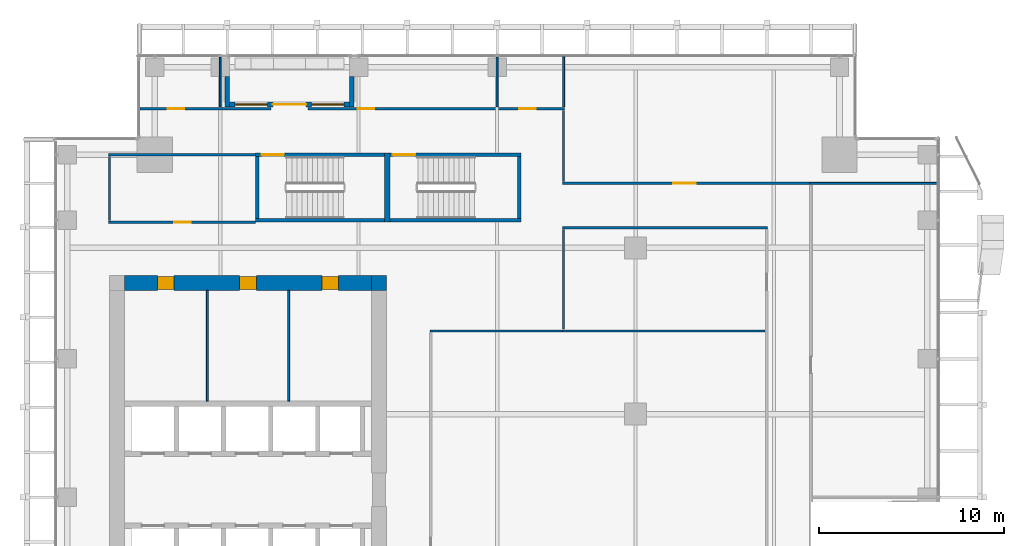
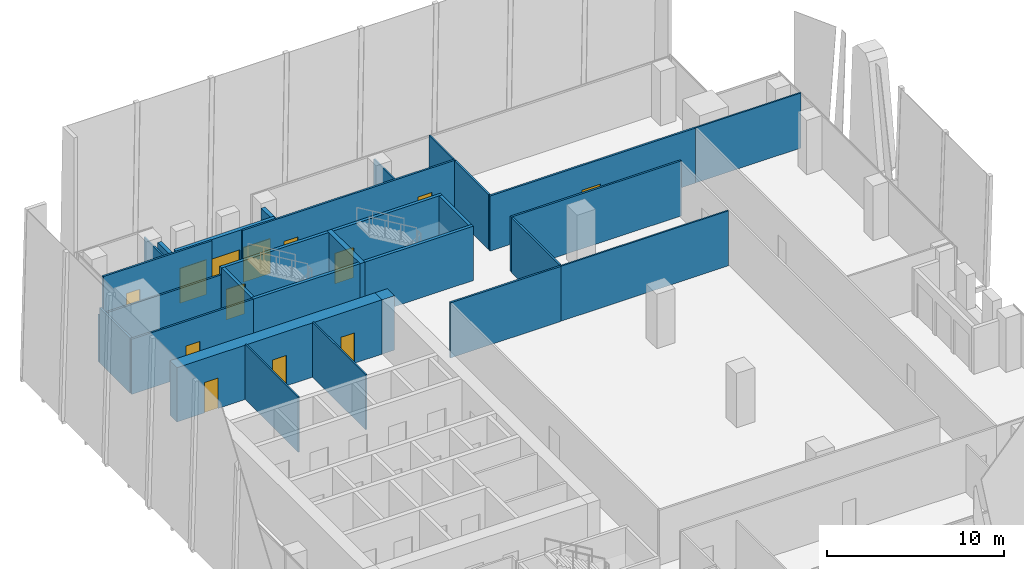
# One storey, part 30 of 35: 29 walls, 11 doors, 2 windows, 13 openings.
"""IFC4 building model written with IfcOpenShell, lengths in metres."""

from ifc_helpers import new_model, si_unit, direction, frame, frame_2d, origin, place, context, subcontext, project, spatial, rectangle, extrude, source, transform, mapped, material, layer, layer_set, type_object, element, fill, save


model = new_model("IFC4")

# Units and contexts
model_context = context("Model", 3, precision=1e-05, world=origin(), true_north=direction((0.0, 1.0)))
body_context = subcontext(model_context, "Body", "Model", "MODEL_VIEW")
ifc_project = project(units=[si_unit("LENGTHUNIT", "METRE"), si_unit("AREAUNIT", "SQUARE_METRE"), si_unit("VOLUMEUNIT", "CUBIC_METRE"), si_unit("PLANEANGLEUNIT", "RADIAN"), si_unit("MASSUNIT", "GRAM", prefix="KILO")], contexts=[model_context])

# Site, building, storey
site_placement = place(None, origin())
site = spatial("IfcSite", under=ifc_project, at=site_placement, CompositionType="ELEMENT")
building_placement = place(site_placement, origin())
building = spatial("IfcBuilding", under=site, at=building_placement, Name="Khomas Fold Tower", CompositionType="ELEMENT")
storey_placement = place(building_placement, frame((0.0, 0.0, 200.699951171875)))
storey = spatial("IfcBuildingStorey", under=building, at=storey_placement, Name="L44", CompositionType="ELEMENT", Elevation=200.699951171875)

# Wall, openings, doors
ifc_material_1 = material(Name="Concrete C60/75", Category="concrete")
ifc_layer_1 = layer(ifc_material_1, 0.800048828125)
ifc_layer_set_1 = layer_set([ifc_layer_1], Name="Concrete C60/75")
wall_type_1 = type_object("IfcWallType", Name="Core wall 800", PredefinedType="SHEAR", material=ifc_layer_set_1)
shared_shape_1 = source(origin(), body_context, "Body", "SweptSolid", [
    extrude(rectangle(XDim=13.39990234375, YDim=0.800048828125, at=frame_2d((6.699951171875, 0.0))), origin(), (0.0, 0.0, 1.0), 3.75),
])
wall_1_placement = place(storey_placement, frame((6.800048828125, 38.60009765625, 0.0), z_axis=(0.0, 0.0, 1.0), x_axis=(1.0, 0.0, 0.0)))
wall_1 = element("IfcWall", 1, at=wall_1_placement, inside=storey, type_object=wall_type_1, Name="Core wall CW-U-N-L35", PredefinedType="SHEAR", context=body_context, shape_type="MappedRepresentation", body=[
    mapped(shared_shape_1, transform((0.0, 0.0, 0.0))),
])
shared_shape_2 = source(origin(), body_context, "Body", "SweptSolid", [
    extrude(rectangle(XDim=0.89990234375, YDim=2.10009765625, at=frame_2d((0.449951171875, 1.050048828125))), frame((0.0, 0.409912109375, 0.0), z_axis=(0.0, -1.0, 0.0), x_axis=(1.0, 0.0, 0.0)), (0.0, 0.0, 1.0), 0.820068359375),
])
opening_1_placement = place(wall_1_placement, frame((1.800048828125, 0.0, 0.0)))
opening_1 = element("IfcOpeningElement", 2, at=opening_1_placement, cuts=wall_1, Name="Opening 0004", PredefinedType="OPENING", context=body_context, shape_type="MappedRepresentation", body=[
    mapped(shared_shape_2, transform((0.0, 0.0, 0.0))),
])
opening_2_placement = place(wall_1_placement, frame((6.25, 0.0, 0.0)))
opening_2 = element("IfcOpeningElement", 3, at=opening_2_placement, cuts=wall_1, Name="Opening 0004", PredefinedType="OPENING", context=body_context, shape_type="MappedRepresentation", body=[
    mapped(shared_shape_2, transform((0.0, 0.0, 0.0))),
])
opening_3_placement = place(wall_1_placement, frame((10.699951171875, 0.0, 0.0)))
opening_3 = element("IfcOpeningElement", 4, at=opening_3_placement, cuts=wall_1, Name="Opening 0008", PredefinedType="OPENING", context=body_context, shape_type="MappedRepresentation", body=[
    mapped(shared_shape_2, transform((0.0, 0.0, 0.0))),
])
ifc_material_2 = material(Name="Timber door leaf", Category="wood")
door_type_1 = type_object("IfcDoorType", Name="WC door 900x2100 right-hand", OperationType="SINGLE_SWING_RIGHT", PredefinedType="DOOR", material=ifc_material_2)
shared_shape_3 = source(origin(), body_context, "Body", "SweptSolid", [
    extrude(rectangle(XDim=0.89990234375, YDim=2.10009765625, at=frame_2d((0.449951171875, 1.050048828125))), frame((0.0, 0.35009765625, 0.0), z_axis=(0.0, -1.0, 0.0), x_axis=(1.0, 0.0, 0.0)), (0.0, 0.0, 1.0), 0.699951171875),
])
door_1_placement = place(opening_1_placement, origin())
door_1 = element("IfcDoor", 5, at=door_1_placement, inside=storey, type_object=door_type_1, Name="WC door", OperationType="SINGLE_SWING_RIGHT", OverallHeight=2.10009765625, OverallWidth=0.89990234375, PredefinedType="DOOR", context=body_context, shape_type="MappedRepresentation", body=[
    mapped(shared_shape_3, transform((0.0, 0.0, 0.0))),
])
fill(opening_1, door_1)
door_2_placement = place(opening_2_placement, origin())
door_2 = element("IfcDoor", 6, at=door_2_placement, inside=storey, type_object=door_type_1, Name="WC door", OperationType="SINGLE_SWING_RIGHT", OverallHeight=2.10009765625, OverallWidth=0.89990234375, PredefinedType="DOOR", context=body_context, shape_type="MappedRepresentation", body=[
    mapped(shared_shape_3, transform((0.0, 0.0, 0.0))),
])
fill(opening_2, door_2)
ifc_material_3 = material(Name="Timber door leaf", Category="wood")
door_type_2 = type_object("IfcDoorType", Name="Door 900x2100 right-hand", OperationType="SINGLE_SWING_RIGHT", PredefinedType="DOOR", material=ifc_material_3)
door_3_placement = place(opening_3_placement, origin())
door_3 = element("IfcDoor", 7, at=door_3_placement, inside=storey, type_object=door_type_2, Name="Door", OperationType="SINGLE_SWING_RIGHT", OverallHeight=2.10009765625, OverallWidth=0.89990234375, PredefinedType="DOOR", context=body_context, shape_type="MappedRepresentation", body=[
    mapped(shared_shape_3, transform((0.0, 0.0, 0.0))),
])
fill(opening_3, door_3)

# Wall
ifc_material_4 = material(Name="Concrete C60/75", Category="concrete")
ifc_layer_2 = layer(ifc_material_4, 0.800048828125)
ifc_layer_set_2 = layer_set([ifc_layer_2], Name="Concrete C60/75")
wall_type_2 = type_object("IfcWallType", Name="Core corner wall 800", PredefinedType="SHEAR", material=ifc_layer_set_2)
shared_shape_4 = source(origin(), body_context, "Body", "SweptSolid", [
    extrude(rectangle(XDim=0.800048828125, YDim=0.800048828125, at=frame_2d((0.39990234375, 0.0))), origin(), (0.0, 0.0, 1.0), 3.75),
])
wall_2_placement = place(storey_placement, frame((20.199951171875, 38.60009765625, 0.0), z_axis=(0.0, 0.0, 1.0), x_axis=(1.0, 0.0, 0.0)))
element("IfcWall", 8, at=wall_2_placement, inside=storey, type_object=wall_type_2, Name="Core wall CW-U-NE-L35", PredefinedType="SHEAR", context=body_context, shape_type="MappedRepresentation", body=[
    mapped(shared_shape_4, transform((0.0, 0.0, 0.0))),
])

# Wall, opening, door
ifc_material_5 = material(Name="Concrete C50/60", Category="concrete")
ifc_layer_3 = layer(ifc_material_5, 0.199951171875)
ifc_layer_set_3 = layer_set([ifc_layer_3], Name="Concrete C50/60")
wall_type_3 = type_object("IfcWallType", Name="Stair wall 200", PredefinedType="SHEAR", material=ifc_layer_set_3)
shared_shape_5 = source(origin(), body_context, "Body", "SweptSolid", [
    extrude(rectangle(XDim=7.0, YDim=0.199951171875, at=frame_2d((3.5, 0.0))), origin(), (0.0, 0.0, 1.0), 3.75),
])
wall_3_placement = place(storey_placement, frame((13.89990234375, 45.550048828125, 0.0), z_axis=(0.0, 0.0, 1.0), x_axis=(1.0, 0.0, 0.0)))
wall_3 = element("IfcWall", 9, at=wall_3_placement, inside=storey, type_object=wall_type_3, Name="Stair wall SW-ST1-N", PredefinedType="SHEAR", context=body_context, shape_type="MappedRepresentation", body=[
    mapped(shared_shape_5, transform((0.0, 0.0, 0.0))),
])
shared_shape_6 = source(origin(), body_context, "Body", "SweptSolid", [
    extrude(rectangle(XDim=1.199951171875, YDim=2.10009765625, at=frame_2d((0.60009765625, 1.050048828125))), frame((0.0, 0.10986328125, 0.0), z_axis=(0.0, -1.0, 0.0), x_axis=(1.0, 0.0, 0.0)), (0.0, 0.0, 1.0), 0.219970703125),
])
opening_4_placement = place(wall_3_placement, frame((0.35009765625, 0.0, 0.0)))
opening_4 = element("IfcOpeningElement", 10, at=opening_4_placement, cuts=wall_3, Name="Opening SD-ST1", PredefinedType="OPENING", context=body_context, shape_type="MappedRepresentation", body=[
    mapped(shared_shape_6, transform((0.0, 0.0, 0.0))),
])
ifc_material_6 = material(Name="Steel door leaf", Category="steel")
door_type_3 = type_object("IfcDoorType", Name="Stair door 1200x2100 left-hand", OperationType="SINGLE_SWING_LEFT", PredefinedType="DOOR", material=ifc_material_6)
shared_shape_7 = source(origin(), body_context, "Body", "SweptSolid", [
    extrude(rectangle(XDim=1.199951171875, YDim=2.10009765625, at=frame_2d((0.60009765625, 1.050048828125))), frame((0.0, 0.02490234375, 0.0), z_axis=(0.0, -1.0, 0.0), x_axis=(1.0, 0.0, 0.0)), (0.0, 0.0, 1.0), 0.050048828125),
])
door_4_placement = place(opening_4_placement, origin())
door_4 = element("IfcDoor", 11, at=door_4_placement, inside=storey, type_object=door_type_3, Name="Stair door", OperationType="SINGLE_SWING_LEFT", OverallHeight=2.10009765625, OverallWidth=1.199951171875, PredefinedType="DOOR", context=body_context, shape_type="MappedRepresentation", body=[
    mapped(shared_shape_7, transform((0.0, 0.0, 0.0))),
])
fill(opening_4, door_4)

# Wall
wall_4_placement = place(storey_placement, frame((13.89990234375, 42.0, 0.0), z_axis=(0.0, 0.0, 1.0), x_axis=(1.0, 0.0, 0.0)))
element("IfcWall", 12, at=wall_4_placement, inside=storey, type_object=wall_type_3, Name="Stair wall SW-ST1-S", PredefinedType="SHEAR", context=body_context, shape_type="MappedRepresentation", body=[
    mapped(shared_shape_5, transform((0.0, 0.0, 0.0))),
])

# Wall, opening, door
shared_shape_8 = source(origin(), body_context, "Body", "SweptSolid", [
    extrude(rectangle(XDim=7.10009765625, YDim=0.199951171875, at=frame_2d((3.550048828125, 0.0))), origin(), (0.0, 0.0, 1.0), 3.75),
])
wall_5_placement = place(storey_placement, frame((21.199951171875, 45.550048828125, 0.0), z_axis=(0.0, 0.0, 1.0), x_axis=(1.0, 0.0, 0.0)))
wall_5 = element("IfcWall", 13, at=wall_5_placement, inside=storey, type_object=wall_type_3, Name="Stair wall SW-ST3-N", PredefinedType="SHEAR", context=body_context, shape_type="MappedRepresentation", body=[
    mapped(shared_shape_8, transform((0.0, 0.0, 0.0))),
])
opening_5_placement = place(wall_5_placement, frame((0.14990234375, 0.0, 0.0)))
opening_5 = element("IfcOpeningElement", 14, at=opening_5_placement, cuts=wall_5, Name="Opening SD-ST3", PredefinedType="OPENING", context=body_context, shape_type="MappedRepresentation", body=[
    mapped(shared_shape_6, transform((0.0, 0.0, 0.0))),
])
door_5_placement = place(opening_5_placement, origin())
door_5 = element("IfcDoor", 15, at=door_5_placement, inside=storey, type_object=door_type_3, Name="Stair door", OperationType="SINGLE_SWING_LEFT", OverallHeight=2.10009765625, OverallWidth=1.199951171875, PredefinedType="DOOR", context=body_context, shape_type="MappedRepresentation", body=[
    mapped(shared_shape_7, transform((0.0, 0.0, 0.0))),
])
fill(opening_5, door_5)

# Walls
wall_6_placement = place(storey_placement, frame((21.199951171875, 42.0, 0.0), z_axis=(0.0, 0.0, 1.0), x_axis=(1.0, 0.0, 0.0)))
element("IfcWall", 16, at=wall_6_placement, inside=storey, type_object=wall_type_3, Name="Stair wall SW-ST3-S", PredefinedType="SHEAR", context=body_context, shape_type="MappedRepresentation", body=[
    mapped(shared_shape_8, transform((0.0, 0.0, 0.0))),
])
ifc_material_7 = material(Name="Concrete C50/60", Category="concrete")
ifc_layer_4 = layer(ifc_material_7, 0.300048828125)
ifc_layer_set_4 = layer_set([ifc_layer_4], Name="Concrete C50/60")
wall_type_4 = type_object("IfcWallType", Name="Stair wall 300", PredefinedType="SHEAR", material=ifc_layer_set_4)
shared_shape_9 = source(origin(), body_context, "Body", "SweptSolid", [
    extrude(rectangle(XDim=3.75, YDim=0.300048828125, at=frame_2d((1.875, 0.0))), origin(), (0.0, 0.0, 1.0), 3.75),
])
wall_7_placement = place(storey_placement, frame((21.050048828125, 41.89990234375, 0.0), z_axis=(0.0, 0.0, 1.0), x_axis=(0.0, 1.0, 0.0)))
element("IfcWall", 17, at=wall_7_placement, inside=storey, type_object=wall_type_4, Name="Stair wall SW-ST1-E", PredefinedType="SHEAR", context=body_context, shape_type="MappedRepresentation", body=[
    mapped(shared_shape_9, transform((0.0, 0.0, 0.0))),
])
shared_shape_10 = source(origin(), body_context, "Body", "SweptSolid", [
    extrude(rectangle(XDim=3.349853515625, YDim=0.199951171875, at=frame_2d((1.6748046875, 0.0))), origin(), (0.0, 0.0, 1.0), 3.75),
])
for number, where, z_axis, x_axis, name in (
    (18, (14.0, 42.10009765625, 0.0), (0.0, 0.0, 1.0), (0.0, 1.0, 0.0), "Stair wall SW-ST1-W"),
    (19, (28.199951171875, 42.10009765625, 0.0), (0.0, 0.0, 1.0), (0.0, 1.0, 0.0), "Stair wall SW-ST3-E"),
):
    element("IfcWall", number, at=place(storey_placement, frame(where, z_axis=z_axis, x_axis=x_axis)), inside=storey, type_object=wall_type_3, Name=name, PredefinedType="SHEAR", context=body_context, shape_type="MappedRepresentation", body=[
        mapped(shared_shape_10, transform((0.0, 0.0, 0.0))),
    ])

# Wall, openings, door, windows
ifc_material_8 = material(Name="Natural stone", Category="masonry")
ifc_layer_5 = layer(ifc_material_8, 0.0400390625)
ifc_material_9 = material(Name="Mineral wool insulation", Category="insulation")
ifc_layer_6 = layer(ifc_material_9, 0.10009765625)
ifc_material_10 = material(Name="Masonry", Category="masonry")
ifc_layer_7 = layer(ifc_material_10, 0.110107421875)
ifc_layer_set_5 = layer_set([ifc_layer_5, ifc_layer_6, ifc_layer_7], Name="Stone-faced insulated masonry")
wall_type_5 = type_object("IfcWallType", Name="BL-Balcony wall", PredefinedType="SOLIDWALL", material=ifc_layer_set_5)
shared_shape_11 = source(origin(), body_context, "Body", "SweptSolid", [
    extrude(rectangle(XDim=6.5, YDim=0.25, at=frame_2d((3.25, 0.0))), origin(), (0.0, 0.0, 1.0), 3.75),
])
wall_8_placement = place(storey_placement, frame((12.5, 48.27490234375, 0.0), z_axis=(0.0, 0.0, 1.0), x_axis=(1.0, 0.0, 0.0)))
wall_8 = element("IfcWall", 20, at=wall_8_placement, inside=storey, type_object=wall_type_5, Name="Balcony wall BAL-L44-N1", PredefinedType="SOLIDWALL", context=body_context, shape_type="MappedRepresentation", body=[
    mapped(shared_shape_11, transform((0.0, 0.0, 0.0))),
])
shared_shape_12 = source(origin(), body_context, "Body", "SweptSolid", [
    extrude(rectangle(XDim=1.75, YDim=2.39990234375, at=frame_2d((0.875, 1.199951171875))), frame((0.0, 0.135009765625, 0.0), z_axis=(0.0, -1.0, 0.0), x_axis=(1.0, 0.0, 0.0)), (0.0, 0.0, 1.0), 0.27001953125),
])
opening_6_placement = place(wall_8_placement, frame((0.300048828125, 0.0, 0.0)))
opening_6 = element("IfcOpeningElement", 21, at=opening_6_placement, cuts=wall_8, Name="Opening BL-W3", PredefinedType="OPENING", context=body_context, shape_type="MappedRepresentation", body=[
    mapped(shared_shape_12, transform((0.0, 0.0, 0.0))),
])
opening_7_placement = place(wall_8_placement, frame((4.449951171875, 0.0, 0.0)))
opening_7 = element("IfcOpeningElement", 22, at=opening_7_placement, cuts=wall_8, Name="Opening BL-W3", PredefinedType="OPENING", context=body_context, shape_type="MappedRepresentation", body=[
    mapped(shared_shape_12, transform((0.0, 0.0, 0.0))),
])
shared_shape_13 = source(origin(), body_context, "Body", "SweptSolid", [
    extrude(rectangle(XDim=1.800048828125, YDim=2.39990234375, at=frame_2d((0.89990234375, 1.199951171875))), frame((0.0, 0.135009765625, 0.0), z_axis=(0.0, -1.0, 0.0), x_axis=(1.0, 0.0, 0.0)), (0.0, 0.0, 1.0), 0.27001953125),
])
opening_8_placement = place(wall_8_placement, frame((2.35009765625, 0.0, 0.0)))
opening_8 = element("IfcOpeningElement", 23, at=opening_8_placement, cuts=wall_8, Name="Opening BD442", PredefinedType="OPENING", context=body_context, shape_type="MappedRepresentation", body=[
    mapped(shared_shape_13, transform((0.0, 0.0, 0.0))),
])
ifc_material_11 = material(Name="Aluminium framed double glazing", Category="aluminium")
door_type_4 = type_object("IfcDoorType", Name="BL-Glazed balcony door 1800 x 2400", OperationType="DOUBLE_DOOR_DOUBLE_SWING", PredefinedType="DOOR", material=ifc_material_11)
shared_shape_14 = source(origin(), body_context, "Body", "SweptSolid", [
    extrude(rectangle(XDim=1.800048828125, YDim=2.39990234375, at=frame_2d((0.89990234375, 1.199951171875))), frame((0.0, 0.02490234375, 0.0), z_axis=(0.0, -1.0, 0.0), x_axis=(1.0, 0.0, 0.0)), (0.0, 0.0, 1.0), 0.050048828125),
])
door_6_placement = place(opening_8_placement, origin())
door_6 = element("IfcDoor", 24, at=door_6_placement, inside=storey, type_object=door_type_4, Name="Balcony door BD442", OperationType="DOUBLE_DOOR_DOUBLE_SWING", OverallHeight=2.39990234375, OverallWidth=1.800048828125, PredefinedType="DOOR", context=body_context, shape_type="MappedRepresentation", body=[
    mapped(shared_shape_14, transform((0.0, 0.0, 0.0))),
])
fill(opening_8, door_6)
ifc_material_12 = material(Name="Aluminium framed double glazing", Category="aluminium")
window_type = type_object("IfcWindowType", Name="BL-Fixed glazing 1750 x 2400", PartitioningType="SINGLE_PANEL", PredefinedType="WINDOW", material=ifc_material_12)
shared_shape_15 = source(origin(), body_context, "Body", "SweptSolid", [
    extrude(rectangle(XDim=1.75, YDim=2.39990234375, at=frame_2d((0.875, 1.199951171875))), frame((0.0, 0.030029296875, 0.0), z_axis=(0.0, -1.0, 0.0), x_axis=(1.0, 0.0, 0.0)), (0.0, 0.0, 1.0), 0.06005859375),
])
window_1_placement = place(opening_6_placement, origin())
window_1 = element("IfcWindow", 25, at=window_1_placement, inside=storey, type_object=window_type, Name="Balcony glazing BAL-L44-N1-1", OverallHeight=2.39990234375, OverallWidth=1.75, PartitioningType="SINGLE_PANEL", PredefinedType="WINDOW", context=body_context, shape_type="MappedRepresentation", body=[
    mapped(shared_shape_15, transform((0.0, 0.0, 0.0))),
])
fill(opening_6, window_1)
window_2_placement = place(opening_7_placement, origin())
window_2 = element("IfcWindow", 26, at=window_2_placement, inside=storey, type_object=window_type, Name="Balcony glazing BAL-L44-N1-2", OverallHeight=2.39990234375, OverallWidth=1.75, PartitioningType="SINGLE_PANEL", PredefinedType="WINDOW", context=body_context, shape_type="MappedRepresentation", body=[
    mapped(shared_shape_15, transform((0.0, 0.0, 0.0))),
])
fill(opening_7, window_2)

# Walls
shared_shape_16 = source(origin(), body_context, "Body", "SweptSolid", [
    extrude(rectangle(XDim=1.650146484375, YDim=0.25, at=frame_2d((0.8251953125, 0.0))), origin(), (0.0, 0.0, 1.0), 3.449951171875),
])
for number, where, z_axis, x_axis, name in (
    (27, (12.375, 49.800048828125, 0.0), (0.0, 0.0, 1.0), (0.0, -1.0, 0.0), "Balcony return wall BAL-L44-N1-lo"),
    (28, (19.125, 49.800048828125, 0.0), (0.0, 0.0, 1.0), (0.0, -1.0, 0.0), "Balcony return wall BAL-L44-N1-hi"),
):
    element("IfcWall", number, at=place(storey_placement, frame(where, z_axis=z_axis, x_axis=x_axis)), inside=storey, type_object=wall_type_5, Name=name, PredefinedType="SOLIDWALL", context=body_context, shape_type="MappedRepresentation", body=[
        mapped(shared_shape_16, transform((0.0, 0.0, 0.0))),
    ])
ifc_material_13 = material(Name="Plasterboard partition")
ifc_layer_8 = layer(ifc_material_13, 0.125)
ifc_layer_set_6 = layer_set([ifc_layer_8], Name="Plasterboard partition")
wall_type_6 = type_object("IfcWallType", Name="Partition PW2 125", PredefinedType="PARTITIONING", material=ifc_layer_set_6)
shared_shape_17 = source(origin(), body_context, "Body", "SweptSolid", [
    extrude(rectangle(XDim=7.949951171875, YDim=0.125, at=frame_2d((3.97509765625, 0.0))), origin(), (0.0, 0.0, 1.0), 3.25),
])
wall_9_placement = place(storey_placement, frame((5.949951171875, 45.550048828125, 0.0), z_axis=(0.0, 0.0, 1.0), x_axis=(1.0, 0.0, 0.0)))
element("IfcWall", 29, at=wall_9_placement, inside=storey, type_object=wall_type_6, Name="Partition", PredefinedType="PARTITIONING", context=body_context, shape_type="MappedRepresentation", body=[
    mapped(shared_shape_17, transform((0.0, 0.0, 0.0))),
])
ifc_material_14 = material(Name="Plasterboard partition")
ifc_layer_9 = layer(ifc_material_14, 0.10009765625)
ifc_layer_set_7 = layer_set([ifc_layer_9], Name="Plasterboard partition")
wall_type_7 = type_object("IfcWallType", Name="Partition PW1 100", PredefinedType="PARTITIONING", material=ifc_layer_set_7)
shared_shape_18 = source(origin(), body_context, "Body", "SweptSolid", [
    extrude(rectangle(XDim=6.0, YDim=0.10009765625, at=frame_2d((3.0, 0.0))), origin(), (0.0, 0.0, 1.0), 3.800048828125),
])
for number, where, z_axis, x_axis, name in (
    (30, (11.300048828125, 32.199951171875, 0.0), (0.0, 0.0, 1.0), (0.0, 1.0, 0.0), "Partition"),
    (31, (15.699951171875, 32.199951171875, 0.0), (0.0, 0.0, 1.0), (0.0, 1.0, 0.0), "Partition"),
):
    element("IfcWall", number, at=place(storey_placement, frame(where, z_axis=z_axis, x_axis=x_axis)), inside=storey, type_object=wall_type_7, Name=name, PredefinedType="PARTITIONING", context=body_context, shape_type="MappedRepresentation", body=[
        mapped(shared_shape_18, transform((0.0, 0.0, 0.0))),
    ])

# Wall, opening, door
shared_shape_19 = source(origin(), body_context, "Body", "SweptSolid", [
    extrude(rectangle(XDim=7.949951171875, YDim=0.125, at=frame_2d((3.97509765625, 0.0))), origin(), (0.0, 0.0, 1.0), 3.800048828125),
])
wall_10_placement = place(storey_placement, frame((5.949951171875, 41.89990234375, 0.0), z_axis=(0.0, 0.0, 1.0), x_axis=(1.0, 0.0, 0.0)))
wall_10 = element("IfcWall", 32, at=wall_10_placement, inside=storey, type_object=wall_type_6, Name="Partition", PredefinedType="PARTITIONING", context=body_context, shape_type="MappedRepresentation", body=[
    mapped(shared_shape_19, transform((0.0, 0.0, 0.0))),
])
shared_shape_20 = source(origin(), body_context, "Body", "SweptSolid", [
    extrude(rectangle(XDim=0.89990234375, YDim=2.10009765625, at=frame_2d((0.449951171875, 1.050048828125))), frame((0.0, 0.072509765625, 0.0), z_axis=(0.0, -1.0, 0.0), x_axis=(1.0, 0.0, 0.0)), (0.0, 0.0, 1.0), 0.14501953125),
])
opening_9_placement = place(wall_10_placement, frame((3.550048828125, 0.0, 0.0)))
opening_9 = element("IfcOpeningElement", 33, at=opening_9_placement, cuts=wall_10, Name="Opening 0007", PredefinedType="OPENING", context=body_context, shape_type="MappedRepresentation", body=[
    mapped(shared_shape_20, transform((0.0, 0.0, 0.0))),
])
ifc_material_15 = material(Name="Timber door leaf", Category="wood")
door_type_5 = type_object("IfcDoorType", Name="Door 900x2100 left-hand", OperationType="SINGLE_SWING_LEFT", PredefinedType="DOOR", material=ifc_material_15)
shared_shape_21 = source(origin(), body_context, "Body", "SweptSolid", [
    extrude(rectangle(XDim=0.89990234375, YDim=2.10009765625, at=frame_2d((0.449951171875, 1.050048828125))), frame((0.0, 0.02490234375, 0.0), z_axis=(0.0, -1.0, 0.0), x_axis=(1.0, 0.0, 0.0)), (0.0, 0.0, 1.0), 0.050048828125),
])
door_7_placement = place(opening_9_placement, origin())
door_7 = element("IfcDoor", 34, at=door_7_placement, inside=storey, type_object=door_type_5, Name="Door", OperationType="SINGLE_SWING_LEFT", OverallHeight=2.10009765625, OverallWidth=0.89990234375, PredefinedType="DOOR", context=body_context, shape_type="MappedRepresentation", body=[
    mapped(shared_shape_21, transform((0.0, 0.0, 0.0))),
])
fill(opening_9, door_7)

# Walls
shared_shape_22 = source(origin(), body_context, "Body", "SweptSolid", [
    extrude(rectangle(XDim=3.449951171875, YDim=0.125, at=frame_2d((1.72509765625, 0.0))), origin(), (0.0, 0.0, 1.0), 3.800048828125),
])
wall_11_placement = place(storey_placement, frame((6.0, 42.0, 0.0), z_axis=(0.0, 0.0, 1.0), x_axis=(0.0, 1.0, 0.0)))
element("IfcWall", 35, at=wall_11_placement, inside=storey, type_object=wall_type_6, Name="Partition", PredefinedType="PARTITIONING", context=body_context, shape_type="MappedRepresentation", body=[
    mapped(shared_shape_22, transform((0.0, 0.0, 0.0))),
])
shared_shape_23 = source(origin(), body_context, "Body", "SweptSolid", [
    extrude(rectangle(XDim=2.7001953125, YDim=0.10009765625, at=frame_2d((1.35009765625, 0.0))), origin(), (0.0, 0.0, 1.0), 3.420166015625),
])
wall_12_placement = place(storey_placement, frame((27.0, 48.14990234375, 0.0), z_axis=(0.0, 0.0, 1.0), x_axis=(0.0, 1.0, 0.0)))
element("IfcWall", 36, at=wall_12_placement, inside=storey, type_object=wall_type_7, Name="Partition", PredefinedType="PARTITIONING", context=body_context, shape_type="MappedRepresentation", body=[
    mapped(shared_shape_23, transform((0.0, 0.0, 0.0))),
])
shared_shape_24 = source(origin(), body_context, "Body", "SweptSolid", [
    extrude(rectangle(XDim=2.7001953125, YDim=0.10009765625, at=frame_2d((1.35009765625, 0.0))), origin(), (0.0, 0.0, 1.0), 3.800048828125),
])
wall_13_placement = place(storey_placement, frame((30.60009765625, 48.14990234375, 0.0), z_axis=(0.0, 0.0, 1.0), x_axis=(0.0, 1.0, 0.0)))
element("IfcWall", 37, at=wall_13_placement, inside=storey, type_object=wall_type_7, Name="Partition", PredefinedType="PARTITIONING", context=body_context, shape_type="MappedRepresentation", body=[
    mapped(shared_shape_24, transform((0.0, 0.0, 0.0))),
])

# Wall, opening, door
shared_shape_25 = source(origin(), body_context, "Body", "SweptSolid", [
    extrude(rectangle(XDim=7.10009765625, YDim=0.125, at=frame_2d((3.550048828125, 0.0))), origin(), (0.0, 0.0, 1.0), 3.800048828125),
])
wall_14_placement = place(storey_placement, frame((7.64990234375, 48.050048828125, 0.0), z_axis=(0.0, 0.0, 1.0), x_axis=(1.0, 0.0, 0.0)))
wall_14 = element("IfcWall", 38, at=wall_14_placement, inside=storey, type_object=wall_type_6, Name="Partition", PredefinedType="PARTITIONING", context=body_context, shape_type="MappedRepresentation", body=[
    mapped(shared_shape_25, transform((0.0, 0.0, 0.0))),
])
opening_10_placement = place(wall_14_placement, frame((1.5, 0.0, 0.0)))
opening_10 = element("IfcOpeningElement", 39, at=opening_10_placement, cuts=wall_14, Name="Opening 0008", PredefinedType="OPENING", context=body_context, shape_type="MappedRepresentation", body=[
    mapped(shared_shape_20, transform((0.0, 0.0, 0.0))),
])
door_8_placement = place(opening_10_placement, origin())
door_8 = element("IfcDoor", 40, at=door_8_placement, inside=storey, type_object=door_type_2, Name="Door", OperationType="SINGLE_SWING_RIGHT", OverallHeight=2.10009765625, OverallWidth=0.89990234375, PredefinedType="DOOR", context=body_context, shape_type="MappedRepresentation", body=[
    mapped(shared_shape_21, transform((0.0, 0.0, 0.0))),
])
fill(opening_10, door_8)

# Wall, openings, doors
shared_shape_26 = source(origin(), body_context, "Body", "SweptSolid", [
    extrude(rectangle(XDim=13.89990234375, YDim=0.125, at=frame_2d((6.949951171875, 0.0))), origin(), (0.0, 0.0, 1.0), 3.800048828125),
])
wall_15_placement = place(storey_placement, frame((16.75, 48.050048828125, 0.0), z_axis=(0.0, 0.0, 1.0), x_axis=(1.0, 0.0, 0.0)))
wall_15 = element("IfcWall", 41, at=wall_15_placement, inside=storey, type_object=wall_type_6, Name="Partition", PredefinedType="PARTITIONING", context=body_context, shape_type="MappedRepresentation", body=[
    mapped(shared_shape_26, transform((0.0, 0.0, 0.0))),
])
opening_11_placement = place(wall_15_placement, frame((2.699951171875, 0.0, 0.0)))
opening_11 = element("IfcOpeningElement", 42, at=opening_11_placement, cuts=wall_15, Name="Opening 0007", PredefinedType="OPENING", context=body_context, shape_type="MappedRepresentation", body=[
    mapped(shared_shape_20, transform((0.0, 0.0, 0.0))),
])
opening_12_placement = place(wall_15_placement, frame((11.449951171875, 0.0, 0.0)))
opening_12 = element("IfcOpeningElement", 43, at=opening_12_placement, cuts=wall_15, Name="Opening 0008", PredefinedType="OPENING", context=body_context, shape_type="MappedRepresentation", body=[
    mapped(shared_shape_20, transform((0.0, 0.0, 0.0))),
])
door_9_placement = place(opening_11_placement, origin())
door_9 = element("IfcDoor", 44, at=door_9_placement, inside=storey, type_object=door_type_5, Name="Door", OperationType="SINGLE_SWING_LEFT", OverallHeight=2.10009765625, OverallWidth=0.89990234375, PredefinedType="DOOR", context=body_context, shape_type="MappedRepresentation", body=[
    mapped(shared_shape_21, transform((0.0, 0.0, 0.0))),
])
fill(opening_11, door_9)
door_10_placement = place(opening_12_placement, origin())
door_10 = element("IfcDoor", 45, at=door_10_placement, inside=storey, type_object=door_type_2, Name="Door", OperationType="SINGLE_SWING_RIGHT", OverallHeight=2.10009765625, OverallWidth=0.89990234375, PredefinedType="DOOR", context=body_context, shape_type="MappedRepresentation", body=[
    mapped(shared_shape_21, transform((0.0, 0.0, 0.0))),
])
fill(opening_12, door_10)

# Walls
shared_shape_27 = source(origin(), body_context, "Body", "SweptSolid", [
    extrude(rectangle(XDim=6.900146484375, YDim=0.10009765625, at=frame_2d((3.4501953125, 0.0))), origin(), (0.0, 0.0, 1.0), 3.800048828125),
])
wall_16_placement = place(storey_placement, frame((43.949951171875, 44.0, 0.0), z_axis=(0.0, 0.0, 1.0), x_axis=(1.0, 0.0, 0.0)))
element("IfcWall", 46, at=wall_16_placement, inside=storey, type_object=wall_type_7, Name="Partition", PredefinedType="PARTITIONING", context=body_context, shape_type="MappedRepresentation", body=[
    mapped(shared_shape_27, transform((0.0, 0.0, 0.0))),
])
shared_shape_28 = source(origin(), body_context, "Body", "SweptSolid", [
    extrude(rectangle(XDim=7.199951171875, YDim=0.125, at=frame_2d((3.60009765625, 0.0))), origin(), (0.0, 0.0, 1.0), 3.800048828125),
])
wall_17_placement = place(storey_placement, frame((23.35009765625, 36.0, 0.0), z_axis=(0.0, 0.0, 1.0), x_axis=(1.0, 0.0, 0.0)))
element("IfcWall", 47, at=wall_17_placement, inside=storey, type_object=wall_type_6, Name="Partition", PredefinedType="PARTITIONING", context=body_context, shape_type="MappedRepresentation", body=[
    mapped(shared_shape_28, transform((0.0, 0.0, 0.0))),
])
shared_shape_29 = source(origin(), body_context, "Body", "SweptSolid", [
    extrude(rectangle(XDim=10.949951171875, YDim=0.10009765625, at=frame_2d((5.47509765625, 0.0))), origin(), (0.0, 0.0, 1.0), 3.800048828125),
])
wall_18_placement = place(storey_placement, frame((30.550048828125, 36.0, 0.0), z_axis=(0.0, 0.0, 1.0), x_axis=(1.0, 0.0, 0.0)))
element("IfcWall", 48, at=wall_18_placement, inside=storey, type_object=wall_type_7, Name="Partition", PredefinedType="PARTITIONING", context=body_context, shape_type="MappedRepresentation", body=[
    mapped(shared_shape_29, transform((0.0, 0.0, 0.0))),
])
shared_shape_30 = source(origin(), body_context, "Body", "SweptSolid", [
    extrude(rectangle(XDim=5.39990234375, YDim=0.125, at=frame_2d((2.699951171875, 0.0))), origin(), (0.0, 0.0, 1.0), 3.800048828125),
])
wall_19_placement = place(storey_placement, frame((30.60009765625, 36.10009765625, 0.0), z_axis=(0.0, 0.0, 1.0), x_axis=(0.0, 1.0, 0.0)))
element("IfcWall", 49, at=wall_19_placement, inside=storey, type_object=wall_type_6, Name="Partition", PredefinedType="PARTITIONING", context=body_context, shape_type="MappedRepresentation", body=[
    mapped(shared_shape_30, transform((0.0, 0.0, 0.0))),
])
shared_shape_31 = source(origin(), body_context, "Body", "SweptSolid", [
    extrude(rectangle(XDim=11.099853515625, YDim=0.125, at=frame_2d((5.5498046875, 0.0))), origin(), (0.0, 0.0, 1.0), 3.800048828125),
])
wall_20_placement = place(storey_placement, frame((30.550048828125, 41.60009765625, 0.0), z_axis=(0.0, 0.0, 1.0), x_axis=(1.0, 0.0, 0.0)))
element("IfcWall", 50, at=wall_20_placement, inside=storey, type_object=wall_type_6, Name="Partition", PredefinedType="PARTITIONING", context=body_context, shape_type="MappedRepresentation", body=[
    mapped(shared_shape_31, transform((0.0, 0.0, 0.0))),
])

# Wall, opening, door
shared_shape_32 = source(origin(), body_context, "Body", "SweptSolid", [
    extrude(rectangle(XDim=13.39990234375, YDim=0.125, at=frame_2d((6.699951171875, 0.0))), origin(), (0.0, 0.0, 1.0), 3.800048828125),
])
wall_21_placement = place(storey_placement, frame((30.550048828125, 44.0, 0.0), z_axis=(0.0, 0.0, 1.0), x_axis=(1.0, 0.0, 0.0)))
wall_21 = element("IfcWall", 51, at=wall_21_placement, inside=storey, type_object=wall_type_6, Name="Partition", PredefinedType="PARTITIONING", context=body_context, shape_type="MappedRepresentation", body=[
    mapped(shared_shape_32, transform((0.0, 0.0, 0.0))),
])
shared_shape_33 = source(origin(), body_context, "Body", "SweptSolid", [
    extrude(rectangle(XDim=1.199951171875, YDim=2.10009765625, at=frame_2d((0.60009765625, 1.050048828125))), frame((0.0, 0.072509765625, 0.0), z_axis=(0.0, -1.0, 0.0), x_axis=(1.0, 0.0, 0.0)), (0.0, 0.0, 1.0), 0.14501953125),
])
opening_13_placement = place(wall_21_placement, frame((6.0, 0.0, 0.0)))
opening_13 = element("IfcOpeningElement", 52, at=opening_13_placement, cuts=wall_21, Name="Opening 0001", PredefinedType="OPENING", context=body_context, shape_type="MappedRepresentation", body=[
    mapped(shared_shape_33, transform((0.0, 0.0, 0.0))),
])
ifc_material_16 = material(Name="Timber door leaf", Category="wood")
door_type_6 = type_object("IfcDoorType", Name="Door 1200x2100 right-hand", OperationType="SINGLE_SWING_RIGHT", PredefinedType="DOOR", material=ifc_material_16)
door_11_placement = place(opening_13_placement, origin())
door_11 = element("IfcDoor", 53, at=door_11_placement, inside=storey, type_object=door_type_6, Name="Door", OperationType="SINGLE_SWING_RIGHT", OverallHeight=2.10009765625, OverallWidth=1.199951171875, PredefinedType="DOOR", context=body_context, shape_type="MappedRepresentation", body=[
    mapped(shared_shape_7, transform((0.0, 0.0, 0.0))),
])
fill(opening_13, door_11)

# Walls
shared_shape_34 = source(origin(), body_context, "Body", "SweptSolid", [
    extrude(rectangle(XDim=3.849853515625, YDim=0.125, at=frame_2d((1.9248046875, 0.0))), origin(), (0.0, 0.0, 1.0), 3.800048828125),
])
wall_22_placement = place(storey_placement, frame((30.60009765625, 44.10009765625, 0.0), z_axis=(0.0, 0.0, 1.0), x_axis=(0.0, 1.0, 0.0)))
element("IfcWall", 54, at=wall_22_placement, inside=storey, type_object=wall_type_6, Name="Partition", PredefinedType="PARTITIONING", context=body_context, shape_type="MappedRepresentation", body=[
    mapped(shared_shape_34, transform((0.0, 0.0, 0.0))),
])
shared_shape_35 = source(origin(), body_context, "Body", "SweptSolid", [
    extrude(rectangle(XDim=2.7001953125, YDim=0.10009765625, at=frame_2d((1.35009765625, 0.0))), origin(), (0.0, 0.0, 1.0), 3.300048828125),
])
wall_23_placement = place(storey_placement, frame((12.0, 48.14990234375, 0.0), z_axis=(0.0, 0.0, 1.0), x_axis=(0.0, 1.0, 0.0)))
element("IfcWall", 55, at=wall_23_placement, inside=storey, type_object=wall_type_7, Name="Partition", PredefinedType="PARTITIONING", context=body_context, shape_type="MappedRepresentation", body=[
    mapped(shared_shape_35, transform((0.0, 0.0, 0.0))),
])

save(model, "model.ifc")
